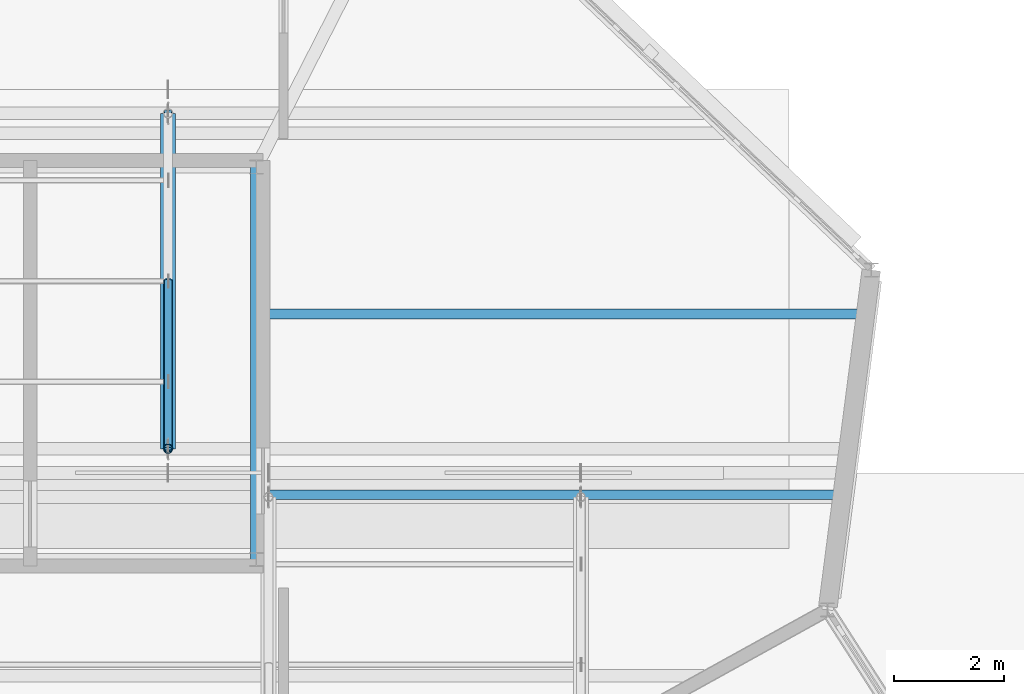
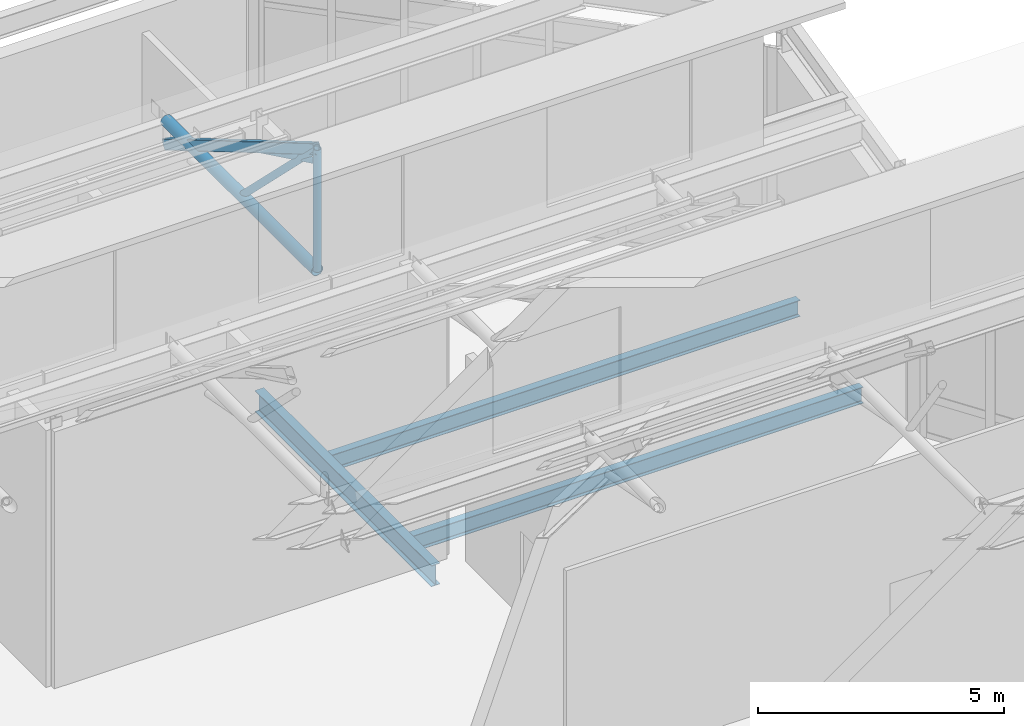
# One storey, part 34 of 55: 5 members, 3 beams.
"""IFC4 building model written with IfcOpenShell, lengths in metres."""

import ifcopenshell
import ifcopenshell.guid

model = None  # the IFC model being written
_history = None  # IfcOwnerHistory: only IFC2X3 demands one
_inside = {}  # id of a spatial element -> (the spatial element, [elements in it])
_under = {}  # id of a project, library or spatial element -> (it, [spatial elements below it])
_declared = {}  # id of a project -> (the project, [libraries it declares])
_typed = {}  # id of a type object -> (the type object, [elements of that type])
_made_of = {}  # id of a material, layer set ... -> (it, [elements and type objects made of it])


def new_model(schema):
    """Start an empty IFC model of exactly this schema.

    Asked for "IFC4X3", IfcOpenShell would pick the latest addendum, in which some entities
    have other attributes; the version numbers below select the first issue.
    IFC2X3 requires an IfcOwnerHistory on every rooted entity: one is made here for all.
    """
    global model, _history
    if schema == "IFC4X3":
        model = ifcopenshell.file(schema_version=(4, 3, 0, 0))
    else:
        model = ifcopenshell.file(schema=schema)
    _inside.clear()
    _under.clear()
    _declared.clear()
    _typed.clear()
    _made_of.clear()
    _history = None
    if model.schema == "IFC2X3":
        org = make("IfcOrganization", Name="unknown")
        user = make(
            "IfcPersonAndOrganization",
            ThePerson=make("IfcPerson", FamilyName="unknown"),
            TheOrganization=org,
        )
        app = make(
            "IfcApplication",
            ApplicationDeveloper=org,
            Version="unknown",
            ApplicationFullName="unknown",
            ApplicationIdentifier="unknown",
        )
        _history = make(
            "IfcOwnerHistory",
            OwningUser=user,
            OwningApplication=app,
            ChangeAction="ADDED",
            CreationDate=0,
        )
    return model


def make(cls, **values):
    """One entity of the class cls with the attributes given. An attribute that is None is left unset."""
    return model.create_entity(
        cls, **{name: value for name, value in values.items() if value is not None}
    )


def rooted(cls, **values):
    """An entity with a GlobalId (a new one), such as an element, a storey or a relation."""
    return make(cls, GlobalId=ifcopenshell.guid.new(), OwnerHistory=_history, **values)


def si_unit(unit_type, name, prefix=None):
    """IfcSIUnit, for example si_unit("LENGTHUNIT", "METRE", prefix="MILLI")."""
    return make("IfcSIUnit", UnitType=unit_type, Prefix=prefix, Name=name)


def assignment(units):
    """IfcUnitAssignment: the units of a project."""
    return None if units is None else make("IfcUnitAssignment", Units=units)


def point(xyz):
    """IfcCartesianPoint."""
    return None if xyz is None else make("IfcCartesianPoint", Coordinates=xyz)


def direction(xyz):
    """IfcDirection."""
    return None if xyz is None else make("IfcDirection", DirectionRatios=xyz)


def frame(location, z_axis=None, x_axis=None):
    """IfcAxis2Placement3D, a coordinate frame: its origin and axes. An axis left out is left unset."""
    return make(
        "IfcAxis2Placement3D",
        Location=point(location),
        Axis=direction(z_axis),
        RefDirection=direction(x_axis),
    )


def frame_2d(location, x_axis=None):
    """IfcAxis2Placement2D, a coordinate frame in the plane: its origin and x axis."""
    return make(
        "IfcAxis2Placement2D", Location=point(location), RefDirection=direction(x_axis)
    )


def origin():
    """The frame at (0, 0, 0) with its axes left unset."""
    return frame((0.0, 0.0, 0.0))


def origin_2d():
    """The frame at (0, 0) in the plane with its x axis left unset."""
    return frame_2d((0.0, 0.0))


def place(relative_to, where):
    """IfcLocalPlacement: puts the frame where relative to a parent placement (None: the world)."""
    return make(
        "IfcLocalPlacement", PlacementRelTo=relative_to, RelativePlacement=where
    )


def context(
    kind, dimensions, precision=None, world=None, true_north=None, identifier=None
):
    """IfcGeometricRepresentationContext, for example the 3D "Model" context."""
    return make(
        "IfcGeometricRepresentationContext",
        ContextIdentifier=identifier,
        ContextType=kind,
        CoordinateSpaceDimension=dimensions,
        Precision=precision,
        WorldCoordinateSystem=world,
        TrueNorth=true_north,
    )


def subcontext(parent, identifier, kind, view, scale=None):
    """IfcGeometricRepresentationSubContext, for example "Body" below "Model"."""
    return make(
        "IfcGeometricRepresentationSubContext",
        ContextIdentifier=identifier,
        ContextType=kind,
        ParentContext=parent,
        TargetScale=scale,
        TargetView=view,
    )


def project(units=None, contexts=None):
    """IfcProject with its units and contexts."""
    return rooted(
        "IfcProject",
        Name="project",
        RepresentationContexts=contexts,
        UnitsInContext=assignment(units),
    )


def spatial(cls, under=None, at=None, **own):
    """A site, building, storey or space (cls), placed at a placement, below another one or the project."""
    s = rooted(cls, ObjectPlacement=at, **own)
    if under is not None:
        _under.setdefault(under.id(), (under, []))[1].append(s)
    return s


def profile(cls, at=None, kind="AREA", **sizes):
    """A parametric profile (cls). Its sizes go by their IFC names, for example OverallWidth=200.0."""
    return make(cls, ProfileType=kind, Position=at, **sizes)


def hollow_rectangle(**sizes):
    """IfcRectangleHollowProfileDef."""
    return profile("IfcRectangleHollowProfileDef", **sizes)


def hollow_circle(**sizes):
    """IfcCircleHollowProfileDef."""
    return profile("IfcCircleHollowProfileDef", **sizes)


def i_section(**sizes):
    """IfcIShapeProfileDef."""
    return profile("IfcIShapeProfileDef", **sizes)


def extrude(swept, where, along, depth):
    """IfcExtrudedAreaSolid: the profile swept, set in the frame where, extruded along a direction by depth."""
    return make(
        "IfcExtrudedAreaSolid",
        SweptArea=swept,
        Position=where,
        ExtrudedDirection=direction(along),
        Depth=depth,
    )


def shape(context_of_items, identifier, shape_type, items):
    """IfcShapeRepresentation: the items that make up one representation, for example the "Body"."""
    return make(
        "IfcShapeRepresentation",
        ContextOfItems=context_of_items,
        RepresentationIdentifier=identifier,
        RepresentationType=shape_type,
        Items=items,
    )


def material(Name=None, Category=None):
    """IfcMaterial."""
    return make("IfcMaterial", Name=Name, Category=Category)


def material_profile(
    of_material, cross_section, Name=None, Category=None, Priority=None
):
    """IfcMaterialProfile: a cross section and its material."""
    return make(
        "IfcMaterialProfile",
        Name=Name,
        Material=of_material,
        Profile=cross_section,
        Priority=Priority,
        Category=Category,
    )


def profile_set(profiles, Name=None, composite=None):
    """IfcMaterialProfileSet."""
    return make(
        "IfcMaterialProfileSet",
        Name=Name,
        MaterialProfiles=profiles,
        CompositeProfile=composite,
    )


def made_of(thing, what):
    """Note that an element or type object is made of a material, layer set ...; save() writes the relation."""
    if what is not None:
        _made_of.setdefault(what.id(), (what, []))[1].append(thing)
    return thing


def type_object(cls, material=None, **own):
    """A type object (cls), such as IfcWallType, which elements share."""
    return made_of(rooted(cls, **own), material)


def element(
    cls,
    number,
    at=None,
    inside=None,
    cuts=None,
    type_object=None,
    material=None,
    context=None,
    identifier="Body",
    shape_type=None,
    held_by="IfcProductDefinitionShape",
    body=None,
    shapes=None,
    **own,
):
    """One element of the class cls, such as IfcWall. Its Tag is "e" and its number.

    at: its placement. inside: the storey or other place that contains it. cuts: it is an
    opening in that element (IfcRelVoidsElement). A single representation is given by context,
    identifier, shape_type and body (its items); several are given by shapes. held_by: the class
    of the entity that holds the representations. save() writes the other relations.
    """
    e = rooted(cls, Tag="e%d" % number, ObjectPlacement=at, **own)
    if body is not None:
        shapes = [shape(context, identifier, shape_type, body)]
    if shapes is not None:
        e.Representation = make(held_by, Representations=shapes)
    if inside is not None:
        _inside.setdefault(inside.id(), (inside, []))[1].append(e)
    if cuts is not None:
        rooted(
            "IfcRelVoidsElement", RelatingBuildingElement=cuts, RelatedOpeningElement=e
        )
    if type_object is not None:
        _typed.setdefault(type_object.id(), (type_object, []))[1].append(e)
    return made_of(e, material)


def aggregate(whole, parts):
    """IfcRelAggregates: a whole, such as a stair, and the parts it consists of."""
    return rooted("IfcRelAggregates", RelatingObject=whole, RelatedObjects=parts)


def save(model, path):
    """Write the relations noted so far, then the file.

    IfcRelAggregates (storeys below a building ...), IfcRelContainedInSpatialStructure (elements
    in a storey), IfcRelDefinesByType, IfcRelAssociatesMaterial and IfcRelDeclares: one each for
    every whole, place, type object, material and project.
    """
    for whole, parts in _under.values():
        aggregate(whole, parts)
    for where, things in _inside.values():
        rooted(
            "IfcRelContainedInSpatialStructure",
            RelatedElements=things,
            RelatingStructure=where,
        )
    for kind, things in _typed.values():
        rooted("IfcRelDefinesByType", RelatedObjects=things, RelatingType=kind)
    for what, things in _made_of.values():
        rooted("IfcRelAssociatesMaterial", RelatedObjects=things, RelatingMaterial=what)
    for by, libraries in _declared.values():
        rooted("IfcRelDeclares", RelatingContext=by, RelatedDefinitions=libraries)
    model.write(path)


model = new_model("IFC4")

# Units and contexts
model_context = context("Model", 3, precision=1e-05, world=origin(), true_north=direction((0.0, 1.0)))
body_context = subcontext(model_context, "Body", "Model", "MODEL_VIEW")
ifc_project = project(units=[si_unit("LENGTHUNIT", "METRE"), si_unit("AREAUNIT", "SQUARE_METRE"), si_unit("VOLUMEUNIT", "CUBIC_METRE"), si_unit("PLANEANGLEUNIT", "RADIAN"), si_unit("MASSUNIT", "GRAM", prefix="KILO")], contexts=[model_context])

# Site, building, storey
site_placement = place(None, origin())
site = spatial("IfcSite", under=ifc_project, at=site_placement, CompositionType="ELEMENT")
building_placement = place(site_placement, origin())
building = spatial("IfcBuilding", under=site, at=building_placement, Name="Tameran Prism Museum", CompositionType="ELEMENT")
storey_placement = place(building_placement, frame((0.0, 0.0, 28.800048828125)))
storey = spatial("IfcBuildingStorey", under=building, at=storey_placement, Name="L05", CompositionType="ELEMENT", Elevation=28.800048828125)

# Beams
ifc_material_1 = material(Name="Steel Grade 300PLUS (300 MPa)", Category="steel")
ifc_material_profile_1 = material_profile(ifc_material_1, i_section(OverallWidth=0.177978515625, OverallDepth=0.403076171875, WebThickness=0.007568359375, FlangeThickness=0.010986328125, FilletRadius=0.011474609375, at=origin_2d()))
ifc_profile_set_1 = profile_set([ifc_material_profile_1])
beam_type_1 = type_object("IfcBeamType", Name="BM-J410B", PredefinedType="JOIST", material=ifc_profile_set_1)
beam_1_placement = place(storey_placement, frame((124.47998046875, 100.10009765625, -0.441650390625), z_axis=(1.0, 0.0, 0.0), x_axis=(0.0, 1.0, 0.0)))
element("IfcBeam", 1, at=beam_1_placement, inside=storey, type_object=beam_type_1, Name="Floor Beam BM-1310", PredefinedType="JOIST", context=body_context, shape_type="SweptSolid", body=[
    extrude(i_section(OverallWidth=0.177978515625, OverallDepth=0.403076171875, WebThickness=0.007568359375, FlangeThickness=0.010986328125, FilletRadius=0.011474609375, at=origin_2d()), origin(), (0.0, 0.0, 1.0), 10.651123046875),
])
beam_2_placement = place(storey_placement, frame((124.47998046875, 103.39990234375, -0.441650390625), z_axis=(1.0, 0.0, 0.0), x_axis=(0.0, 1.0, 0.0)))
element("IfcBeam", 2, at=beam_2_placement, inside=storey, type_object=beam_type_1, Name="Floor Beam BM-1312", PredefinedType="JOIST", context=body_context, shape_type="SweptSolid", body=[
    extrude(i_section(OverallWidth=0.177978515625, OverallDepth=0.403076171875, WebThickness=0.007568359375, FlangeThickness=0.010986328125, FilletRadius=0.011474609375, at=origin_2d()), origin(), (0.0, 0.0, 1.0), 11.075927734375),
])
ifc_material_2 = material(Name="Steel Grade 300PLUS (300 MPa)", Category="steel")
ifc_material_profile_2 = material_profile(ifc_material_2, i_section(OverallWidth=0.208984375, OverallDepth=0.528076171875, WebThickness=0.009521484375, FlangeThickness=0.01318359375, FilletRadius=0.013916015625, at=origin_2d()))
ifc_profile_set_2 = profile_set([ifc_material_profile_2])
beam_type_2 = type_object("IfcBeamType", Name="BM-SP530B", PredefinedType="SPANDREL", material=ifc_profile_set_2)
beam_3_placement = place(storey_placement, frame((124.47998046875, 98.919921875, -0.504150390625), z_axis=(0.0, 1.0, 0.0), x_axis=(-1.0, 0.0, 0.0)))
element("IfcBeam", 3, at=beam_3_placement, inside=storey, type_object=beam_type_2, Name="Core Ring Beam CTB-1280", PredefinedType="SPANDREL", context=body_context, shape_type="SweptSolid", body=[
    extrude(i_section(OverallWidth=0.208984375, OverallDepth=0.528076171875, WebThickness=0.009521484375, FlangeThickness=0.01318359375, FilletRadius=0.013916015625, at=origin_2d()), origin(), (0.0, 0.0, 1.0), 7.16015625),
])

# Members
ifc_material_3 = material(Name="Steel Grade C350L0 (350 MPa)", Category="steel")
ifc_material_profile_3 = material_profile(ifc_material_3, hollow_circle(Radius=0.084228515625, WallThickness=0.007080078125, at=origin_2d()))
ifc_profile_set_3 = profile_set([ifc_material_profile_3])
member_type_1 = type_object("IfcMemberType", Name="MM-BR-CHS168", PredefinedType="BRACE", material=ifc_profile_set_3)
member_1_placement = place(storey_placement, frame((122.866943359375, 100.93994140625, 6.385986328125), z_axis=(0.0, 0.0, 1.0), x_axis=(1.0, 0.0, 0.0)))
element("IfcMember", 4, at=member_1_placement, inside=storey, type_object=member_type_1, Name="Sawtooth Brace STM-0157", PredefinedType="BRACE", context=body_context, shape_type="SweptSolid", body=[
    extrude(hollow_circle(Radius=0.084228515625, WallThickness=0.007080078125, at=origin_2d()), origin(), (0.0, 0.0, 1.0), 3.02294921875),
])
member_2_placement = place(storey_placement, frame((122.866943359375, 104.0, 6.385986328125), z_axis=(0.0, -0.711407246691, 0.70278000068), x_axis=(1.0, 0.0, 0.0)))
element("IfcMember", 5, at=member_2_placement, inside=storey, type_object=member_type_1, Name="Sawtooth Brace STM-0159", PredefinedType="BRACE", context=body_context, shape_type="SweptSolid", body=[
    extrude(hollow_circle(Radius=0.084228515625, WallThickness=0.007080078125, at=origin_2d()), origin(), (0.0, 0.0, 1.0), 4.301513671875),
])
ifc_material_4 = material(Name="Steel Grade C350L0 (350 MPa)", Category="steel")
ifc_material_profile_4 = material_profile(ifc_material_4, hollow_circle(Radius=0.136474609375, WallThickness=0.00927734375, at=origin_2d()))
ifc_profile_set_4 = profile_set([ifc_material_profile_4])
member_type_2 = type_object("IfcMemberType", Name="MM-CH-CHS273", PredefinedType="CHORD", material=ifc_profile_set_4)
member_3_placement = place(storey_placement, frame((122.866943359375, 100.93994140625, 6.385986328125), z_axis=(0.0, 1.0, 0.0), x_axis=(-1.0, 0.0, 0.0)))
element("IfcMember", 6, at=member_3_placement, inside=storey, type_object=member_type_2, Name="Sawtooth Chord STM-0155", PredefinedType="CHORD", context=body_context, shape_type="SweptSolid", body=[
    extrude(hollow_circle(Radius=0.136474609375, WallThickness=0.00927734375, at=origin_2d()), origin(), (0.0, 0.0, 1.0), 6.1201171875),
])
ifc_material_5 = material(Name="Steel Grade C350L0 (350 MPa)", Category="steel")
ifc_material_profile_5 = material_profile(ifc_material_5, hollow_rectangle(XDim=0.14990234375, YDim=0.25, WallThickness=0.009033203125, InnerFilletRadius=0.013427734375, OuterFilletRadius=0.0224609375, at=origin_2d()))
ifc_profile_set_5 = profile_set([ifc_material_profile_5])
member_type_3 = type_object("IfcMemberType", Name="MM-RF-RHS250", PredefinedType="RAFTER", material=ifc_profile_set_5)
member_4_placement = place(storey_placement, frame((122.866943359375, 100.93994140625, 9.408935546875), z_axis=(0.0, 0.861932447349, -0.507023131826), x_axis=(-1.0, 0.0, 0.0)))
element("IfcMember", 7, at=member_4_placement, inside=storey, type_object=member_type_3, Name="Sawtooth Rafter STM-0156", PredefinedType="RAFTER", context=body_context, shape_type="SweptSolid", body=[
    extrude(hollow_rectangle(XDim=0.14990234375, YDim=0.25, WallThickness=0.009033203125, InnerFilletRadius=0.013427734375, OuterFilletRadius=0.0224609375, at=origin_2d()), origin(), (0.0, 0.0, 1.0), 7.100341796875),
])
ifc_material_6 = material(Name="Steel Grade C350L0 (350 MPa)", Category="steel")
ifc_material_profile_6 = material_profile(ifc_material_6, hollow_circle(Radius=0.06982421875, WallThickness=0.00634765625, at=origin_2d()))
ifc_profile_set_6 = profile_set([ifc_material_profile_6])
member_type_4 = type_object("IfcMemberType", Name="MM-ST-CHS140", PredefinedType="STRUT", material=ifc_profile_set_6)
member_5_placement = place(storey_placement, frame((122.866943359375, 100.93994140625, 9.0888671875), z_axis=(0.0, 0.900239175025, -0.435395713978), x_axis=(-1.0, 0.0, 0.0)))
element("IfcMember", 8, at=member_5_placement, inside=storey, type_object=member_type_4, Name="Sawtooth Strut STM-0161", PredefinedType="STRUT", context=body_context, shape_type="SweptSolid", body=[
    extrude(hollow_circle(Radius=0.06982421875, WallThickness=0.00634765625, at=origin_2d()), origin(), (0.0, 0.0, 1.0), 3.399169921875),
])

save(model, "model.ifc")
